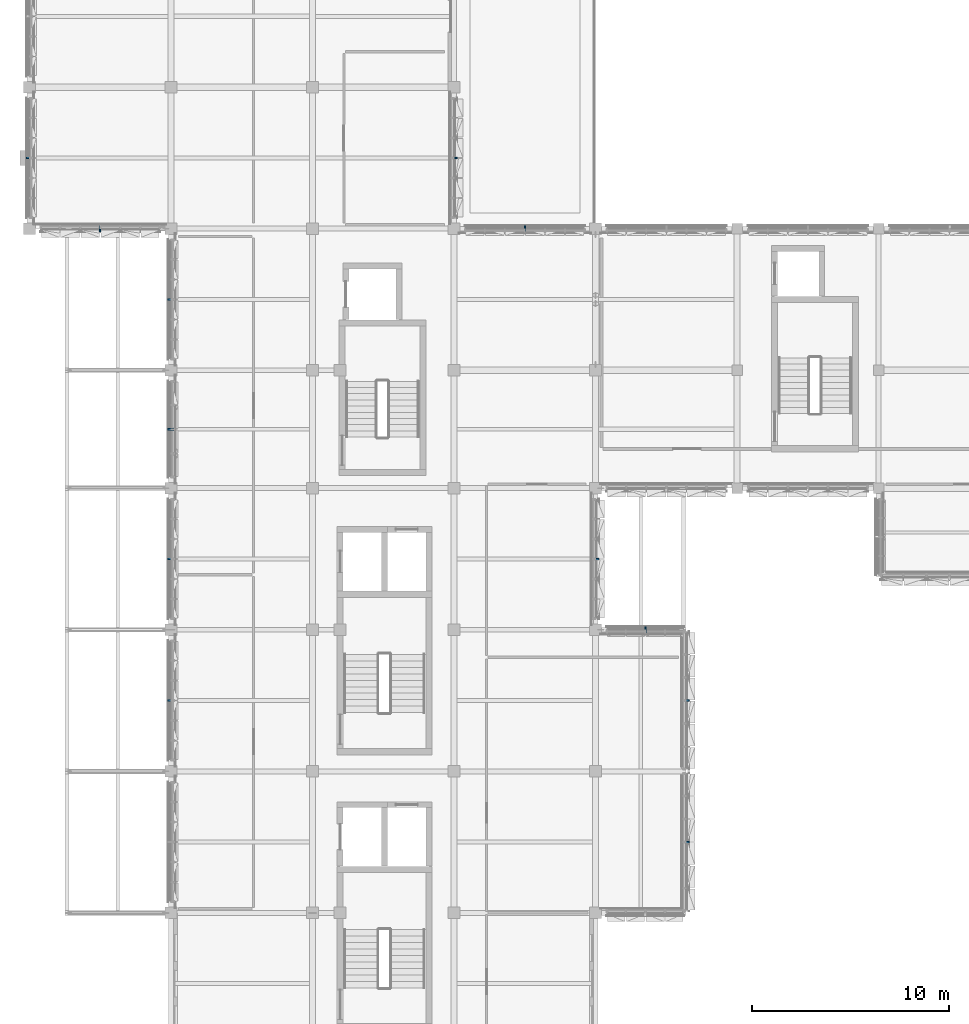
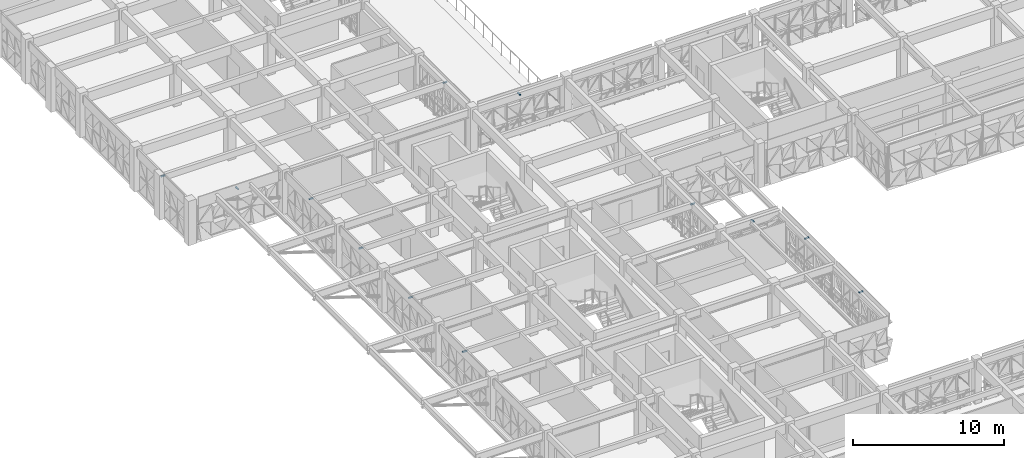
# One storey, part 71 of 99: 12 discrete accessories.
"""IFC4 building model written with IfcOpenShell, lengths in metres."""

import ifcopenshell
import ifcopenshell.guid

model = None  # the IFC model being written
_history = None  # IfcOwnerHistory: only IFC2X3 demands one
_inside = {}  # id of a spatial element -> (the spatial element, [elements in it])
_under = {}  # id of a project, library or spatial element -> (it, [spatial elements below it])
_declared = {}  # id of a project -> (the project, [libraries it declares])
_typed = {}  # id of a type object -> (the type object, [elements of that type])
_made_of = {}  # id of a material, layer set ... -> (it, [elements and type objects made of it])


def new_model(schema):
    """Start an empty IFC model of exactly this schema.

    Asked for "IFC4X3", IfcOpenShell would pick the latest addendum, in which some entities
    have other attributes; the version numbers below select the first issue.
    IFC2X3 requires an IfcOwnerHistory on every rooted entity: one is made here for all.
    """
    global model, _history
    if schema == "IFC4X3":
        model = ifcopenshell.file(schema_version=(4, 3, 0, 0))
    else:
        model = ifcopenshell.file(schema=schema)
    _inside.clear()
    _under.clear()
    _declared.clear()
    _typed.clear()
    _made_of.clear()
    _history = None
    if model.schema == "IFC2X3":
        org = make("IfcOrganization", Name="unknown")
        user = make(
            "IfcPersonAndOrganization",
            ThePerson=make("IfcPerson", FamilyName="unknown"),
            TheOrganization=org,
        )
        app = make(
            "IfcApplication",
            ApplicationDeveloper=org,
            Version="unknown",
            ApplicationFullName="unknown",
            ApplicationIdentifier="unknown",
        )
        _history = make(
            "IfcOwnerHistory",
            OwningUser=user,
            OwningApplication=app,
            ChangeAction="ADDED",
            CreationDate=0,
        )
    return model


def make(cls, **values):
    """One entity of the class cls with the attributes given. An attribute that is None is left unset."""
    return model.create_entity(
        cls, **{name: value for name, value in values.items() if value is not None}
    )


def rooted(cls, **values):
    """An entity with a GlobalId (a new one), such as an element, a storey or a relation."""
    return make(cls, GlobalId=ifcopenshell.guid.new(), OwnerHistory=_history, **values)


def si_unit(unit_type, name, prefix=None):
    """IfcSIUnit, for example si_unit("LENGTHUNIT", "METRE", prefix="MILLI")."""
    return make("IfcSIUnit", UnitType=unit_type, Prefix=prefix, Name=name)


def assignment(units):
    """IfcUnitAssignment: the units of a project."""
    return None if units is None else make("IfcUnitAssignment", Units=units)


def point(xyz):
    """IfcCartesianPoint."""
    return None if xyz is None else make("IfcCartesianPoint", Coordinates=xyz)


def direction(xyz):
    """IfcDirection."""
    return None if xyz is None else make("IfcDirection", DirectionRatios=xyz)


def frame(location, z_axis=None, x_axis=None):
    """IfcAxis2Placement3D, a coordinate frame: its origin and axes. An axis left out is left unset."""
    return make(
        "IfcAxis2Placement3D",
        Location=point(location),
        Axis=direction(z_axis),
        RefDirection=direction(x_axis),
    )


def frame_2d(location, x_axis=None):
    """IfcAxis2Placement2D, a coordinate frame in the plane: its origin and x axis."""
    return make(
        "IfcAxis2Placement2D", Location=point(location), RefDirection=direction(x_axis)
    )


def origin():
    """The frame at (0, 0, 0) with its axes left unset."""
    return frame((0.0, 0.0, 0.0))


def origin_2d():
    """The frame at (0, 0) in the plane with its x axis left unset."""
    return frame_2d((0.0, 0.0))


def place(relative_to, where):
    """IfcLocalPlacement: puts the frame where relative to a parent placement (None: the world)."""
    return make(
        "IfcLocalPlacement", PlacementRelTo=relative_to, RelativePlacement=where
    )


def context(
    kind, dimensions, precision=None, world=None, true_north=None, identifier=None
):
    """IfcGeometricRepresentationContext, for example the 3D "Model" context."""
    return make(
        "IfcGeometricRepresentationContext",
        ContextIdentifier=identifier,
        ContextType=kind,
        CoordinateSpaceDimension=dimensions,
        Precision=precision,
        WorldCoordinateSystem=world,
        TrueNorth=true_north,
    )


def subcontext(parent, identifier, kind, view, scale=None):
    """IfcGeometricRepresentationSubContext, for example "Body" below "Model"."""
    return make(
        "IfcGeometricRepresentationSubContext",
        ContextIdentifier=identifier,
        ContextType=kind,
        ParentContext=parent,
        TargetScale=scale,
        TargetView=view,
    )


def project(units=None, contexts=None):
    """IfcProject with its units and contexts."""
    return rooted(
        "IfcProject",
        Name="project",
        RepresentationContexts=contexts,
        UnitsInContext=assignment(units),
    )


def spatial(cls, under=None, at=None, **own):
    """A site, building, storey or space (cls), placed at a placement, below another one or the project."""
    s = rooted(cls, ObjectPlacement=at, **own)
    if under is not None:
        _under.setdefault(under.id(), (under, []))[1].append(s)
    return s


def profile(cls, at=None, kind="AREA", **sizes):
    """A parametric profile (cls). Its sizes go by their IFC names, for example OverallWidth=200.0."""
    return make(cls, ProfileType=kind, Position=at, **sizes)


def rectangle(**sizes):
    """IfcRectangleProfileDef."""
    return profile("IfcRectangleProfileDef", **sizes)


def extrude(swept, where, along, depth):
    """IfcExtrudedAreaSolid: the profile swept, set in the frame where, extruded along a direction by depth."""
    return make(
        "IfcExtrudedAreaSolid",
        SweptArea=swept,
        Position=where,
        ExtrudedDirection=direction(along),
        Depth=depth,
    )


def shape(context_of_items, identifier, shape_type, items):
    """IfcShapeRepresentation: the items that make up one representation, for example the "Body"."""
    return make(
        "IfcShapeRepresentation",
        ContextOfItems=context_of_items,
        RepresentationIdentifier=identifier,
        RepresentationType=shape_type,
        Items=items,
    )


def material(Name=None, Category=None):
    """IfcMaterial."""
    return make("IfcMaterial", Name=Name, Category=Category)


def made_of(thing, what):
    """Note that an element or type object is made of a material, layer set ...; save() writes the relation."""
    if what is not None:
        _made_of.setdefault(what.id(), (what, []))[1].append(thing)
    return thing


def type_object(cls, material=None, **own):
    """A type object (cls), such as IfcWallType, which elements share."""
    return made_of(rooted(cls, **own), material)


def element(
    cls,
    number,
    at=None,
    inside=None,
    cuts=None,
    type_object=None,
    material=None,
    context=None,
    identifier="Body",
    shape_type=None,
    held_by="IfcProductDefinitionShape",
    body=None,
    shapes=None,
    **own,
):
    """One element of the class cls, such as IfcWall. Its Tag is "e" and its number.

    at: its placement. inside: the storey or other place that contains it. cuts: it is an
    opening in that element (IfcRelVoidsElement). A single representation is given by context,
    identifier, shape_type and body (its items); several are given by shapes. held_by: the class
    of the entity that holds the representations. save() writes the other relations.
    """
    e = rooted(cls, Tag="e%d" % number, ObjectPlacement=at, **own)
    if body is not None:
        shapes = [shape(context, identifier, shape_type, body)]
    if shapes is not None:
        e.Representation = make(held_by, Representations=shapes)
    if inside is not None:
        _inside.setdefault(inside.id(), (inside, []))[1].append(e)
    if cuts is not None:
        rooted(
            "IfcRelVoidsElement", RelatingBuildingElement=cuts, RelatedOpeningElement=e
        )
    if type_object is not None:
        _typed.setdefault(type_object.id(), (type_object, []))[1].append(e)
    return made_of(e, material)


def aggregate(whole, parts):
    """IfcRelAggregates: a whole, such as a stair, and the parts it consists of."""
    return rooted("IfcRelAggregates", RelatingObject=whole, RelatedObjects=parts)


def save(model, path):
    """Write the relations noted so far, then the file.

    IfcRelAggregates (storeys below a building ...), IfcRelContainedInSpatialStructure (elements
    in a storey), IfcRelDefinesByType, IfcRelAssociatesMaterial and IfcRelDeclares: one each for
    every whole, place, type object, material and project.
    """
    for whole, parts in _under.values():
        aggregate(whole, parts)
    for where, things in _inside.values():
        rooted(
            "IfcRelContainedInSpatialStructure",
            RelatedElements=things,
            RelatingStructure=where,
        )
    for kind, things in _typed.values():
        rooted("IfcRelDefinesByType", RelatedObjects=things, RelatingType=kind)
    for what, things in _made_of.values():
        rooted("IfcRelAssociatesMaterial", RelatedObjects=things, RelatingMaterial=what)
    for by, libraries in _declared.values():
        rooted("IfcRelDeclares", RelatingContext=by, RelatedDefinitions=libraries)
    model.write(path)


model = new_model("IFC4")

# Units and contexts
model_context = context("Model", 3, precision=1e-05, world=origin(), true_north=direction((0.0, 1.0)))
body_context = subcontext(model_context, "Body", "Model", "MODEL_VIEW")
ifc_project = project(units=[si_unit("LENGTHUNIT", "METRE"), si_unit("AREAUNIT", "SQUARE_METRE"), si_unit("VOLUMEUNIT", "CUBIC_METRE"), si_unit("PLANEANGLEUNIT", "RADIAN"), si_unit("MASSUNIT", "GRAM", prefix="KILO")], contexts=[model_context])

# Site, building, storey
site_placement = place(None, origin())
site = spatial("IfcSite", under=ifc_project, at=site_placement, CompositionType="ELEMENT")
building_placement = place(site_placement, origin())
building = spatial("IfcBuilding", under=site, at=building_placement, Name="Alvorim Cloister Faculty of Sciences", CompositionType="ELEMENT")
storey_placement = place(building_placement, frame((0.0, 0.0, 12.14990234375)))
storey = spatial("IfcBuildingStorey", under=building, at=storey_placement, Name="L03", CompositionType="ELEMENT", Elevation=12.14990234375)

# Discrete accessories
ifc_material = material(Name="Aluminium Alloy 6063-T6", Category="aluminium")
discrete_accessory_type = type_object("IfcDiscreteAccessoryType", Name="ACC-DIAG-BAR", PredefinedType="BRACKET", material=ifc_material)
for number, where, z_axis, x_axis, name in (
    (1, (7.340087890625, 32.39990234375, 3.22509765625), (-1.0, 0.0, 0.0), (0.0, -1.0, 0.0), "Slab-Edge Fascia Tie Bracket ACC-01047"),
    (2, (7.340087890625, 39.60009765625, 3.22509765625), (-1.0, 0.0, 0.0), (0.0, -1.0, 0.0), "Slab-Edge Fascia Tie Bracket ACC-01060"),
    (3, (7.340087890625, 46.199951171875, 3.22509765625), (-1.0, 0.0, 0.0), (0.0, -1.0, 0.0), "Slab-Edge Fascia Tie Bracket ACC-01069"),
    (4, (7.340087890625, 52.800048828125, 3.22509765625), (-1.0, 0.0, 0.0), (0.0, -1.0, 0.0), "Slab-Edge Fascia Tie Bracket ACC-01082"),
    (5, (3.60009765625, 56.5400390625, 3.153076171875), (0.0, -1.0, 0.0), (1.0, 0.0, 0.0), "Slab-Edge Fascia Tie Bracket ACC-01095"),
):
    element("IfcDiscreteAccessory", number, at=place(storey_placement, frame(where, z_axis=z_axis, x_axis=x_axis)), inside=storey, type_object=discrete_accessory_type, Name=name, PredefinedType="BRACKET", context=body_context, shape_type="SweptSolid", body=[
        extrude(rectangle(XDim=0.080078125, YDim=0.080078125, at=origin_2d()), origin(), (0.0, 0.0, 1.0), 0.300048828125),
    ])
discrete_accessory_1_placement = place(storey_placement, frame((0.139892578125, 60.0, 3.22509765625), z_axis=(-1.0, 0.0, 0.0), x_axis=(0.0, -1.0, 0.0)))
element("IfcDiscreteAccessory", 6, at=discrete_accessory_1_placement, inside=storey, type_object=discrete_accessory_type, Name="Slab-Edge Fascia Tie Bracket ACC-01108", PredefinedType="BRACKET", context=body_context, shape_type="SweptSolid", body=[
    extrude(rectangle(XDim=0.080078125, YDim=0.080078125, at=origin_2d()), origin(), (0.0, 0.0, 1.0), 0.2998046875),
])
for number, where, z_axis, x_axis, name in (
    (7, (21.4599609375, 60.0, 3.22509765625), (1.0, 0.0, 0.0), (0.0, 1.0, 0.0), "Slab-Edge Fascia Tie Bracket ACC-01317"),
    (8, (25.199951171875, 56.260009765625, 3.22509765625), (0.0, 1.0, 0.0), (-1.0, 0.0, 0.0), "Slab-Edge Fascia Tie Bracket ACC-01330"),
    (9, (28.659912109375, 39.60009765625, 3.22509765625), (1.0, 0.0, 0.0), (0.0, 1.0, 0.0), "Slab-Edge Fascia Tie Bracket ACC-01513"),
):
    element("IfcDiscreteAccessory", number, at=place(storey_placement, frame(where, z_axis=z_axis, x_axis=x_axis)), inside=storey, type_object=discrete_accessory_type, Name=name, PredefinedType="BRACKET", context=body_context, shape_type="SweptSolid", body=[
        extrude(rectangle(XDim=0.080078125, YDim=0.080078125, at=origin_2d()), origin(), (0.0, 0.0, 1.0), 0.300048828125),
    ])
discrete_accessory_2_placement = place(storey_placement, frame((31.330078125, 35.860107421875, 3.153076171875), z_axis=(0.0, 1.0, 0.0), x_axis=(-1.0, 0.0, 0.0)))
element("IfcDiscreteAccessory", 10, at=discrete_accessory_2_placement, inside=storey, type_object=discrete_accessory_type, Name="Slab-Edge Fascia Tie Bracket ACC-01522", PredefinedType="BRACKET", context=body_context, shape_type="SweptSolid", body=[
    extrude(rectangle(XDim=0.080078125, YDim=0.080078125, at=origin_2d()), origin(), (0.0, 0.0, 1.0), 0.2998046875),
])
for number, where, z_axis, x_axis, name in (
    (11, (33.260009765625, 32.39990234375, 3.228515625), (1.0, 0.0, 0.0), (0.0, 1.0, 0.0), "Slab-Edge Fascia Tie Bracket ACC-01535"),
    (12, (33.260009765625, 25.199951171875, 3.228515625), (1.0, 0.0, 0.0), (0.0, 1.0, 0.0), "Slab-Edge Fascia Tie Bracket ACC-01548"),
):
    element("IfcDiscreteAccessory", number, at=place(storey_placement, frame(where, z_axis=z_axis, x_axis=x_axis)), inside=storey, type_object=discrete_accessory_type, Name=name, PredefinedType="BRACKET", context=body_context, shape_type="SweptSolid", body=[
        extrude(rectangle(XDim=0.080078125, YDim=0.080078125, at=origin_2d()), origin(), (0.0, 0.0, 1.0), 0.300048828125),
    ])

save(model, "model.ifc")
